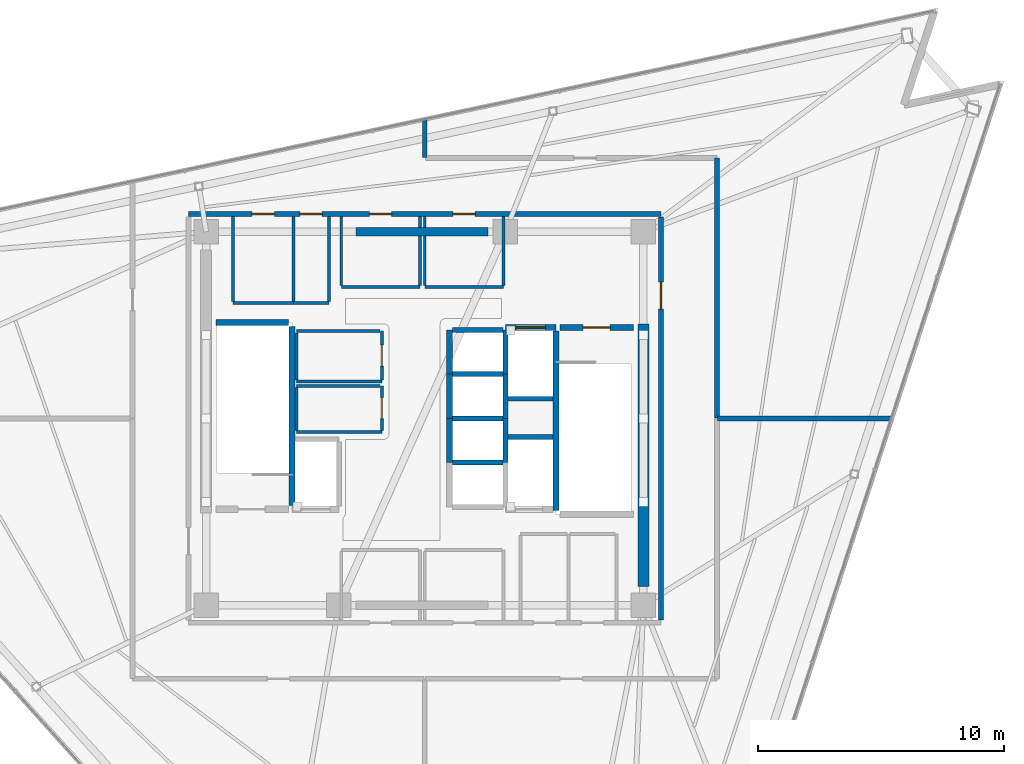
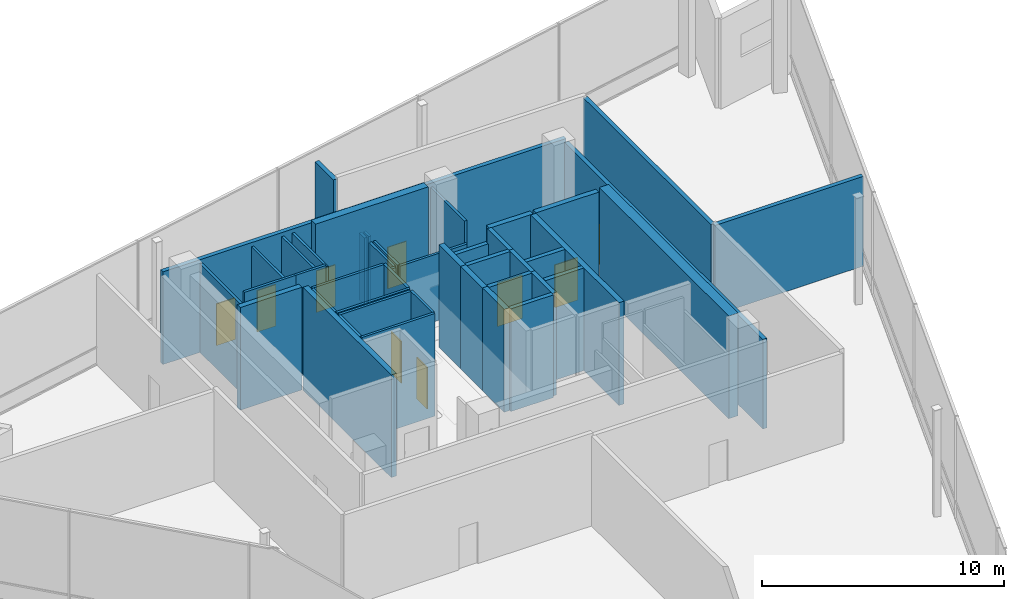
# One storey, part 12 of 14: 45 walls, 9 doors, 9 openings.
"""IFC4 building model written with IfcOpenShell, lengths in metres."""

import ifcopenshell
import ifcopenshell.guid

model = None  # the IFC model being written
_history = None  # IfcOwnerHistory: only IFC2X3 demands one
_inside = {}  # id of a spatial element -> (the spatial element, [elements in it])
_under = {}  # id of a project, library or spatial element -> (it, [spatial elements below it])
_declared = {}  # id of a project -> (the project, [libraries it declares])
_typed = {}  # id of a type object -> (the type object, [elements of that type])
_made_of = {}  # id of a material, layer set ... -> (it, [elements and type objects made of it])


def new_model(schema):
    """Start an empty IFC model of exactly this schema.

    Asked for "IFC4X3", IfcOpenShell would pick the latest addendum, in which some entities
    have other attributes; the version numbers below select the first issue.
    IFC2X3 requires an IfcOwnerHistory on every rooted entity: one is made here for all.
    """
    global model, _history
    if schema == "IFC4X3":
        model = ifcopenshell.file(schema_version=(4, 3, 0, 0))
    else:
        model = ifcopenshell.file(schema=schema)
    _inside.clear()
    _under.clear()
    _declared.clear()
    _typed.clear()
    _made_of.clear()
    _history = None
    if model.schema == "IFC2X3":
        org = make("IfcOrganization", Name="unknown")
        user = make(
            "IfcPersonAndOrganization",
            ThePerson=make("IfcPerson", FamilyName="unknown"),
            TheOrganization=org,
        )
        app = make(
            "IfcApplication",
            ApplicationDeveloper=org,
            Version="unknown",
            ApplicationFullName="unknown",
            ApplicationIdentifier="unknown",
        )
        _history = make(
            "IfcOwnerHistory",
            OwningUser=user,
            OwningApplication=app,
            ChangeAction="ADDED",
            CreationDate=0,
        )
    return model


def make(cls, **values):
    """One entity of the class cls with the attributes given. An attribute that is None is left unset."""
    return model.create_entity(
        cls, **{name: value for name, value in values.items() if value is not None}
    )


def rooted(cls, **values):
    """An entity with a GlobalId (a new one), such as an element, a storey or a relation."""
    return make(cls, GlobalId=ifcopenshell.guid.new(), OwnerHistory=_history, **values)


def si_unit(unit_type, name, prefix=None):
    """IfcSIUnit, for example si_unit("LENGTHUNIT", "METRE", prefix="MILLI")."""
    return make("IfcSIUnit", UnitType=unit_type, Prefix=prefix, Name=name)


def assignment(units):
    """IfcUnitAssignment: the units of a project."""
    return None if units is None else make("IfcUnitAssignment", Units=units)


def point(xyz):
    """IfcCartesianPoint."""
    return None if xyz is None else make("IfcCartesianPoint", Coordinates=xyz)


def direction(xyz):
    """IfcDirection."""
    return None if xyz is None else make("IfcDirection", DirectionRatios=xyz)


def frame(location, z_axis=None, x_axis=None):
    """IfcAxis2Placement3D, a coordinate frame: its origin and axes. An axis left out is left unset."""
    return make(
        "IfcAxis2Placement3D",
        Location=point(location),
        Axis=direction(z_axis),
        RefDirection=direction(x_axis),
    )


def frame_2d(location, x_axis=None):
    """IfcAxis2Placement2D, a coordinate frame in the plane: its origin and x axis."""
    return make(
        "IfcAxis2Placement2D", Location=point(location), RefDirection=direction(x_axis)
    )


def origin():
    """The frame at (0, 0, 0) with its axes left unset."""
    return frame((0.0, 0.0, 0.0))


def place(relative_to, where):
    """IfcLocalPlacement: puts the frame where relative to a parent placement (None: the world)."""
    return make(
        "IfcLocalPlacement", PlacementRelTo=relative_to, RelativePlacement=where
    )


def context(
    kind, dimensions, precision=None, world=None, true_north=None, identifier=None
):
    """IfcGeometricRepresentationContext, for example the 3D "Model" context."""
    return make(
        "IfcGeometricRepresentationContext",
        ContextIdentifier=identifier,
        ContextType=kind,
        CoordinateSpaceDimension=dimensions,
        Precision=precision,
        WorldCoordinateSystem=world,
        TrueNorth=true_north,
    )


def subcontext(parent, identifier, kind, view, scale=None):
    """IfcGeometricRepresentationSubContext, for example "Body" below "Model"."""
    return make(
        "IfcGeometricRepresentationSubContext",
        ContextIdentifier=identifier,
        ContextType=kind,
        ParentContext=parent,
        TargetScale=scale,
        TargetView=view,
    )


def project(units=None, contexts=None):
    """IfcProject with its units and contexts."""
    return rooted(
        "IfcProject",
        Name="project",
        RepresentationContexts=contexts,
        UnitsInContext=assignment(units),
    )


def spatial(cls, under=None, at=None, **own):
    """A site, building, storey or space (cls), placed at a placement, below another one or the project."""
    s = rooted(cls, ObjectPlacement=at, **own)
    if under is not None:
        _under.setdefault(under.id(), (under, []))[1].append(s)
    return s


def profile(cls, at=None, kind="AREA", **sizes):
    """A parametric profile (cls). Its sizes go by their IFC names, for example OverallWidth=200.0."""
    return make(cls, ProfileType=kind, Position=at, **sizes)


def rectangle(**sizes):
    """IfcRectangleProfileDef."""
    return profile("IfcRectangleProfileDef", **sizes)


def extrude(swept, where, along, depth):
    """IfcExtrudedAreaSolid: the profile swept, set in the frame where, extruded along a direction by depth."""
    return make(
        "IfcExtrudedAreaSolid",
        SweptArea=swept,
        Position=where,
        ExtrudedDirection=direction(along),
        Depth=depth,
    )


def shape(context_of_items, identifier, shape_type, items):
    """IfcShapeRepresentation: the items that make up one representation, for example the "Body"."""
    return make(
        "IfcShapeRepresentation",
        ContextOfItems=context_of_items,
        RepresentationIdentifier=identifier,
        RepresentationType=shape_type,
        Items=items,
    )


def material(Name=None, Category=None):
    """IfcMaterial."""
    return make("IfcMaterial", Name=Name, Category=Category)


def layer(
    of_material, thickness, ventilated=None, Name=None, Category=None, Priority=None
):
    """IfcMaterialLayer: one layer of a wall or slab, of a material (None: an air gap)."""
    return make(
        "IfcMaterialLayer",
        Material=of_material,
        LayerThickness=thickness,
        IsVentilated=ventilated,
        Name=Name,
        Category=Category,
        Priority=Priority,
    )


def layer_set(layers, Name=None):
    """IfcMaterialLayerSet."""
    return make("IfcMaterialLayerSet", MaterialLayers=layers, LayerSetName=Name)


def made_of(thing, what):
    """Note that an element or type object is made of a material, layer set ...; save() writes the relation."""
    if what is not None:
        _made_of.setdefault(what.id(), (what, []))[1].append(thing)
    return thing


def type_object(cls, material=None, **own):
    """A type object (cls), such as IfcWallType, which elements share."""
    return made_of(rooted(cls, **own), material)


def element(
    cls,
    number,
    at=None,
    inside=None,
    cuts=None,
    type_object=None,
    material=None,
    context=None,
    identifier="Body",
    shape_type=None,
    held_by="IfcProductDefinitionShape",
    body=None,
    shapes=None,
    **own,
):
    """One element of the class cls, such as IfcWall. Its Tag is "e" and its number.

    at: its placement. inside: the storey or other place that contains it. cuts: it is an
    opening in that element (IfcRelVoidsElement). A single representation is given by context,
    identifier, shape_type and body (its items); several are given by shapes. held_by: the class
    of the entity that holds the representations. save() writes the other relations.
    """
    e = rooted(cls, Tag="e%d" % number, ObjectPlacement=at, **own)
    if body is not None:
        shapes = [shape(context, identifier, shape_type, body)]
    if shapes is not None:
        e.Representation = make(held_by, Representations=shapes)
    if inside is not None:
        _inside.setdefault(inside.id(), (inside, []))[1].append(e)
    if cuts is not None:
        rooted(
            "IfcRelVoidsElement", RelatingBuildingElement=cuts, RelatedOpeningElement=e
        )
    if type_object is not None:
        _typed.setdefault(type_object.id(), (type_object, []))[1].append(e)
    return made_of(e, material)


def fill(opening, filler):
    """IfcRelFillsElement: the door or window that sits in an opening."""
    return rooted(
        "IfcRelFillsElement",
        RelatingOpeningElement=opening,
        RelatedBuildingElement=filler,
    )


def aggregate(whole, parts):
    """IfcRelAggregates: a whole, such as a stair, and the parts it consists of."""
    return rooted("IfcRelAggregates", RelatingObject=whole, RelatedObjects=parts)


def save(model, path):
    """Write the relations noted so far, then the file.

    IfcRelAggregates (storeys below a building ...), IfcRelContainedInSpatialStructure (elements
    in a storey), IfcRelDefinesByType, IfcRelAssociatesMaterial and IfcRelDeclares: one each for
    every whole, place, type object, material and project.
    """
    for whole, parts in _under.values():
        aggregate(whole, parts)
    for where, things in _inside.values():
        rooted(
            "IfcRelContainedInSpatialStructure",
            RelatedElements=things,
            RelatingStructure=where,
        )
    for kind, things in _typed.values():
        rooted("IfcRelDefinesByType", RelatedObjects=things, RelatingType=kind)
    for what, things in _made_of.values():
        rooted("IfcRelAssociatesMaterial", RelatedObjects=things, RelatingMaterial=what)
    for by, libraries in _declared.values():
        rooted("IfcRelDeclares", RelatingContext=by, RelatedDefinitions=libraries)
    model.write(path)


model = new_model("IFC4")

# Units and contexts
model_context = context("Model", 3, precision=1e-05, world=origin(), true_north=direction((0.0, 1.0)))
body_context = subcontext(model_context, "Body", "Model", "MODEL_VIEW")
ifc_project = project(units=[si_unit("LENGTHUNIT", "METRE"), si_unit("AREAUNIT", "SQUARE_METRE"), si_unit("VOLUMEUNIT", "CUBIC_METRE"), si_unit("PLANEANGLEUNIT", "RADIAN"), si_unit("MASSUNIT", "GRAM", prefix="KILO")], contexts=[model_context])

# Site, building, storey
site_placement = place(None, origin())
site = spatial("IfcSite", under=ifc_project, at=site_placement, CompositionType="ELEMENT")
building_placement = place(site_placement, origin())
building = spatial("IfcBuilding", under=site, at=building_placement, Name="Tharavind Bronze Gate", CompositionType="ELEMENT")
storey_placement = place(building_placement, frame((0.0, 0.0, 310.85009765625)))
storey = spatial("IfcBuildingStorey", under=building, at=storey_placement, Name="L80", CompositionType="ELEMENT", Elevation=310.85009765625)

# Wall, openings, doors
ifc_material_1 = material(Name="Aerated Concrete Block", Category="concrete")
ifc_layer_1 = layer(ifc_material_1, 0.199951171875)
ifc_layer_set_1 = layer_set([ifc_layer_1], Name="Aerated Concrete Block")
wall_type_1 = type_object("IfcWallType", Name="FIRE RATED PARTITION 200", PredefinedType="PARTITIONING", material=ifc_layer_set_1)
wall_1_placement = place(storey_placement, frame((9.6201171875, 8.320068359375, 0.0), z_axis=(0.0, 0.0, 1.0), x_axis=(-1.0, 0.0, 0.0)))
wall_1 = element("IfcWall", 1, at=wall_1_placement, inside=storey, type_object=wall_type_1, Name="L80 north core corridor wall", PredefinedType="PARTITIONING", context=body_context, shape_type="SweptSolid", body=[
    extrude(rectangle(XDim=19.240234375, YDim=0.199951171875, at=frame_2d((9.6201171875, 0.0))), origin(), (0.0, 0.0, 1.0), 4.6748046875),
])
opening_1_placement = place(wall_1_placement, frame((10.969970703125, 0.0, 0.0)))
opening_1 = element("IfcOpeningElement", 2, at=opening_1_placement, cuts=wall_1, Name="Opening ID07", PredefinedType="OPENING", context=body_context, shape_type="SweptSolid", body=[
    extrude(rectangle(XDim=0.89990234375, YDim=2.10009765625, at=frame_2d((0.449951171875, 1.050048828125))), frame((0.0, 0.11009765625, 0.0), z_axis=(0.0, -1.0, 0.0), x_axis=(1.0, 0.0, 0.0)), (0.0, 0.0, 1.0), 0.219951171875),
])
opening_2_placement = place(wall_1_placement, frame((7.570068359375, 0.0, 0.0)))
opening_2 = element("IfcOpeningElement", 3, at=opening_2_placement, cuts=wall_1, Name="Opening ID07", PredefinedType="OPENING", context=body_context, shape_type="SweptSolid", body=[
    extrude(rectangle(XDim=0.89990234375, YDim=2.10009765625, at=frame_2d((0.449951171875, 1.050048828125))), frame((0.0, 0.11009765625, 0.0), z_axis=(0.0, -1.0, 0.0), x_axis=(1.0, 0.0, 0.0)), (0.0, 0.0, 1.0), 0.219951171875),
])
opening_3_placement = place(wall_1_placement, frame((15.7451171875, 0.0, 0.0)))
opening_3 = element("IfcOpeningElement", 4, at=opening_3_placement, cuts=wall_1, Name="Opening ID07", PredefinedType="OPENING", context=body_context, shape_type="SweptSolid", body=[
    extrude(rectangle(XDim=0.89990234375, YDim=2.10009765625, at=frame_2d((0.449951171875, 1.050048828125))), frame((0.0, 0.11009765625, 0.0), z_axis=(0.0, -1.0, 0.0), x_axis=(1.0, 0.0, 0.0)), (0.0, 0.0, 1.0), 0.219951171875),
])
opening_4_placement = place(wall_1_placement, frame((13.794921875, 0.0, 0.0)))
opening_4 = element("IfcOpeningElement", 5, at=opening_4_placement, cuts=wall_1, Name="Opening ID07", PredefinedType="OPENING", context=body_context, shape_type="SweptSolid", body=[
    extrude(rectangle(XDim=0.89990234375, YDim=2.10009765625, at=frame_2d((0.449951171875, 1.050048828125))), frame((0.0, 0.11009765625, 0.0), z_axis=(0.0, -1.0, 0.0), x_axis=(1.0, 0.0, 0.0)), (0.0, 0.0, 1.0), 0.219951171875),
])
ifc_material_2 = material(Name="Galvanised Fire Steel", Category="steel")
door_type_1 = type_object("IfcDoorType", Name="PLANT AND RISER FIRE DOOR 900X2100", OperationType="SINGLE_SWING_LEFT", PredefinedType="DOOR", material=ifc_material_2)
door_1_placement = place(opening_1_placement, frame((0.89990234375, 0.0, 0.0), z_axis=(0.0, 0.0, 1.0), x_axis=(-1.0, 0.0, 0.0)))
door_1 = element("IfcDoor", 6, at=door_1_placement, inside=storey, type_object=door_type_1, Name="L80 Core Transformer Switchgear Room fire door", OperationType="SINGLE_SWING_LEFT", OverallHeight=2.10009765625, OverallWidth=0.89990234375, PredefinedType="DOOR", context=body_context, shape_type="SweptSolid", body=[
    extrude(rectangle(XDim=0.89990234375, YDim=2.10009765625, at=frame_2d((0.449951171875, 1.050048828125))), frame((0.0, 0.02490234375, 0.0), z_axis=(0.0, -1.0, 0.0), x_axis=(1.0, 0.0, 0.0)), (0.0, 0.0, 1.0), 0.050048828125),
])
fill(opening_1, door_1)
door_2_placement = place(opening_2_placement, frame((0.89990234375, 0.0, 0.0), z_axis=(0.0, 0.0, 1.0), x_axis=(-1.0, 0.0, 0.0)))
door_2 = element("IfcDoor", 7, at=door_2_placement, inside=storey, type_object=door_type_1, Name="L80 Core Mechanical Booster Plant fire door", OperationType="SINGLE_SWING_LEFT", OverallHeight=2.10009765625, OverallWidth=0.89990234375, PredefinedType="DOOR", context=body_context, shape_type="SweptSolid", body=[
    extrude(rectangle(XDim=0.89990234375, YDim=2.10009765625, at=frame_2d((0.449951171875, 1.050048828125))), frame((0.0, 0.02490234375, 0.0), z_axis=(0.0, -1.0, 0.0), x_axis=(1.0, 0.0, 0.0)), (0.0, 0.0, 1.0), 0.050048828125),
])
fill(opening_2, door_2)
door_3_placement = place(opening_3_placement, frame((0.89990234375, 0.0, 0.0), z_axis=(0.0, 0.0, 1.0), x_axis=(-1.0, 0.0, 0.0)))
door_3 = element("IfcDoor", 8, at=door_3_placement, inside=storey, type_object=door_type_1, Name="L80 MEP Switchgear Room fire door", OperationType="SINGLE_SWING_LEFT", OverallHeight=2.10009765625, OverallWidth=0.89990234375, PredefinedType="DOOR", context=body_context, shape_type="SweptSolid", body=[
    extrude(rectangle(XDim=0.89990234375, YDim=2.10009765625, at=frame_2d((0.449951171875, 1.050048828125))), frame((0.0, 0.02490234375, 0.0), z_axis=(0.0, -1.0, 0.0), x_axis=(1.0, 0.0, 0.0)), (0.0, 0.0, 1.0), 0.050048828125),
])
fill(opening_3, door_3)
door_4_placement = place(opening_4_placement, frame((0.89990234375, 0.0, 0.0), z_axis=(0.0, 0.0, 1.0), x_axis=(-1.0, 0.0, 0.0)))
door_4 = element("IfcDoor", 9, at=door_4_placement, inside=storey, type_object=door_type_1, Name="L80 Mechanical Riser Plant Room fire door", OperationType="SINGLE_SWING_LEFT", OverallHeight=2.10009765625, OverallWidth=0.89990234375, PredefinedType="DOOR", context=body_context, shape_type="SweptSolid", body=[
    extrude(rectangle(XDim=0.89990234375, YDim=2.10009765625, at=frame_2d((0.449951171875, 1.050048828125))), frame((0.0, 0.02490234375, 0.0), z_axis=(0.0, -1.0, 0.0), x_axis=(1.0, 0.0, 0.0)), (0.0, 0.0, 1.0), 0.050048828125),
])
fill(opening_4, door_4)

# Wall, opening, door
wall_2_placement = place(storey_placement, frame((9.6201171875, -8.199951171875, 0.0), z_axis=(0.0, 0.0, 1.0), x_axis=(0.0, 1.0, 0.0)))
wall_2 = element("IfcWall", 10, at=wall_2_placement, inside=storey, type_object=wall_type_1, Name="L80 east core corridor wall", PredefinedType="PARTITIONING", context=body_context, shape_type="SweptSolid", body=[
    extrude(rectangle(XDim=16.39990234375, YDim=0.199951171875, at=frame_2d((8.199951171875, 0.0))), origin(), (0.0, 0.0, 1.0), 4.52490234375),
])
opening_5_placement = place(wall_2_placement, frame((12.64990234375, 0.0, 0.0)))
opening_5 = element("IfcOpeningElement", 11, at=opening_5_placement, cuts=wall_2, Name="Opening ID01", PredefinedType="OPENING", context=body_context, shape_type="SweptSolid", body=[
    extrude(rectangle(XDim=1.10009765625, YDim=2.14990234375, at=frame_2d((0.550048828125, 1.074951171875))), frame((0.0, 0.11009765625, 0.0), z_axis=(0.0, -1.0, 0.0), x_axis=(1.0, 0.0, 0.0)), (0.0, 0.0, 1.0), 0.219951171875),
])
ifc_material_3 = material(Name="Fire-Rated Steel", Category="steel")
door_type_2 = type_object("IfcDoorType", Name="STAIR CORE FIRE DOOR 1100X2150", OperationType="SINGLE_SWING_LEFT", PredefinedType="DOOR", material=ifc_material_3)
door_5_placement = place(opening_5_placement, frame((1.10009765625, 0.0, 0.0), z_axis=(0.0, 0.0, 1.0), x_axis=(-1.0, 0.0, 0.0)))
door_5 = element("IfcDoor", 12, at=door_5_placement, inside=storey, type_object=door_type_2, Name="L80 north east stair lobby fire door", OperationType="SINGLE_SWING_LEFT", OverallHeight=2.14990234375, OverallWidth=1.10009765625, PredefinedType="DOOR", context=body_context, shape_type="SweptSolid", body=[
    extrude(rectangle(XDim=1.10009765625, YDim=2.14990234375, at=frame_2d((0.550048828125, 1.074951171875))), frame((0.0, 0.02490234375, 0.0), z_axis=(0.0, -1.0, 0.0), x_axis=(1.0, 0.0, 0.0)), (0.0, 0.0, 1.0), 0.050048828125),
])
fill(opening_5, door_5)

# Walls
wall_3_placement = place(storey_placement, frame((0.0, 10.625, 0.0), z_axis=(0.0, 0.0, 1.0), x_axis=(0.0, 1.0, 0.0)))
element("IfcWall", 13, at=wall_3_placement, inside=storey, type_object=wall_type_1, Name="L80 Crown AHU & Chiller Plant Room North partition", PredefinedType="PARTITIONING", context=body_context, shape_type="SweptSolid", body=[
    extrude(rectangle(XDim=1.525634765625, YDim=0.199951171875, at=frame_2d((0.7626953125, 0.0))), origin(), (0.0, 0.0, 1.0), 4.52490234375),
])
wall_4_placement = place(storey_placement, frame((18.99560546875, 0.0, 0.0), z_axis=(0.0, 0.0, 1.0), x_axis=(-1.0, 0.0, 0.0)))
element("IfcWall", 14, at=wall_4_placement, inside=storey, type_object=wall_type_1, Name="L80 Crown AHU & Chiller Plant Room North partition", PredefinedType="PARTITIONING", context=body_context, shape_type="SweptSolid", body=[
    extrude(rectangle(XDim=7.070556640625, YDim=0.199951171875, at=frame_2d((3.53515625, 0.0))), origin(), (0.0, 0.0, 1.0), 4.52490234375),
])
wall_5_placement = place(storey_placement, frame((11.89990234375, 0.02490234375, 0.0), z_axis=(0.0, 0.0, 1.0), x_axis=(0.0, 1.0, 0.0)))
element("IfcWall", 15, at=wall_5_placement, inside=storey, type_object=wall_type_1, Name="L80 Crown AHU & Chiller Plant Room North partition", PredefinedType="PARTITIONING", context=body_context, shape_type="SweptSolid", body=[
    extrude(rectangle(XDim=10.574462890625, YDim=0.199951171875, at=frame_2d((5.287109375, 0.0))), origin(), (0.0, 0.0, 1.0), 4.52490234375),
])
ifc_material_4 = material(Name="Metal Stud Gypsum Partition", Category="gypsum")
ifc_layer_2 = layer(ifc_material_4, 0.1201171875)
ifc_layer_set_2 = layer_set([ifc_layer_2], Name="Metal Stud Gypsum Partition")
wall_type_2 = type_object("IfcWallType", Name="INTERIOR PARTITION WALL 120", PredefinedType="PARTITIONING", material=ifc_layer_set_2)
wall_6_placement = place(storey_placement, frame((-5.219970703125, 1.5, 0.0), z_axis=(0.0, 0.0, 1.0), x_axis=(1.0, 0.0, 0.0)))
element("IfcWall", 16, at=wall_6_placement, inside=storey, type_object=wall_type_2, Name="L80 Core MEP Switchgear Room partition 1", PredefinedType="PARTITIONING", context=body_context, shape_type="SweptSolid", body=[
    extrude(rectangle(XDim=3.469970703125, YDim=0.1201171875, at=frame_2d((1.73486328125, 0.0))), origin(), (0.0, 0.0, 1.0), 5.179931640625),
])

# Wall, opening, door
wall_7_placement = place(storey_placement, frame((-1.75, 1.56494140625, 0.0), z_axis=(0.0, 0.0, 1.0), x_axis=(0.0, 1.0, 0.0)))
wall_7 = element("IfcWall", 17, at=wall_7_placement, inside=storey, type_object=wall_type_2, Name="L80 Core MEP Switchgear Room partition 2", PredefinedType="PARTITIONING", context=body_context, shape_type="SweptSolid", body=[
    extrude(rectangle(XDim=1.985107421875, YDim=0.1201171875, at=frame_2d((0.99267578125, 0.0))), origin(), (0.0, 0.0, 1.0), 5.179931640625),
])
opening_6_placement = place(wall_7_placement, frame((0.56689453125, 0.0, 0.0)))
opening_6 = element("IfcOpeningElement", 18, at=opening_6_placement, cuts=wall_7, Name="Opening ID06", PredefinedType="OPENING", context=body_context, shape_type="SweptSolid", body=[
    extrude(rectangle(XDim=0.85009765625, YDim=2.10009765625, at=frame_2d((0.425048828125, 1.050048828125))), frame((0.0, 0.07005859375, 0.0), z_axis=(0.0, -1.0, 0.0), x_axis=(1.0, 0.0, 0.0)), (0.0, 0.0, 1.0), 0.1401171875),
])
ifc_material_5 = material(Name="Moisture-Resistant Timber", Category="wood")
door_type_3 = type_object("IfcDoorType", Name="BATHROOM PRIVACY DOOR 850X2100", OperationType="SINGLE_SWING_RIGHT", PredefinedType="DOOR", material=ifc_material_5)
door_6_placement = place(opening_6_placement, frame((0.85009765625, 0.0, 0.0), z_axis=(0.0, 0.0, 1.0), x_axis=(-1.0, 0.0, 0.0)))
door_6 = element("IfcDoor", 19, at=door_6_placement, inside=storey, type_object=door_type_3, Name="L80 Core MEP Switchgear Room door", OperationType="SINGLE_SWING_RIGHT", OverallHeight=2.10009765625, OverallWidth=0.85009765625, PredefinedType="DOOR", context=body_context, shape_type="SweptSolid", body=[
    extrude(rectangle(XDim=0.85009765625, YDim=2.10009765625, at=frame_2d((0.425048828125, 1.050048828125))), frame((0.0, 0.02490234375, 0.0), z_axis=(0.0, -1.0, 0.0), x_axis=(1.0, 0.0, 0.0)), (0.0, 0.0, 1.0), 0.050048828125),
])
fill(opening_6, door_6)

# Walls
wall_8_placement = place(storey_placement, frame((-1.81494140625, 3.550048828125, 0.0), z_axis=(0.0, 0.0, 1.0), x_axis=(-1.0, 0.0, 0.0)))
element("IfcWall", 20, at=wall_8_placement, inside=storey, type_object=wall_type_2, Name="L80 Core MEP Switchgear Room partition 3", PredefinedType="PARTITIONING", context=body_context, shape_type="SweptSolid", body=[
    extrude(rectangle(XDim=3.405029296875, YDim=0.1201171875, at=frame_2d((1.70263671875, 0.0))), origin(), (0.0, 0.0, 1.0), 5.179931640625),
])
wall_9_placement = place(storey_placement, frame((-5.219970703125, 3.485107421875, 0.0), z_axis=(0.0, 0.0, 1.0), x_axis=(0.0, -1.0, 0.0)))
element("IfcWall", 21, at=wall_9_placement, inside=storey, type_object=wall_type_2, Name="L80 Core MEP Switchgear Room partition 4", PredefinedType="PARTITIONING", context=body_context, shape_type="SweptSolid", body=[
    extrude(rectangle(XDim=1.920166015625, YDim=0.1201171875, at=frame_2d((0.9599609375, 0.0))), origin(), (0.0, 0.0, 1.0), 5.179931640625),
])
wall_10_placement = place(storey_placement, frame((-5.219970703125, -0.550048828125, 0.0), z_axis=(0.0, 0.0, 1.0), x_axis=(1.0, 0.0, 0.0)))
element("IfcWall", 22, at=wall_10_placement, inside=storey, type_object=wall_type_2, Name="L80 Core Mechanical Valve Plant partition 1", PredefinedType="PARTITIONING", context=body_context, shape_type="SweptSolid", body=[
    extrude(rectangle(XDim=3.469970703125, YDim=0.1201171875, at=frame_2d((1.73486328125, 0.0))), origin(), (0.0, 0.0, 1.0), 5.179931640625),
])

# Wall, opening, door
wall_11_placement = place(storey_placement, frame((-1.75, -0.485107421875, 0.0), z_axis=(0.0, 0.0, 1.0), x_axis=(0.0, 1.0, 0.0)))
wall_11 = element("IfcWall", 23, at=wall_11_placement, inside=storey, type_object=wall_type_2, Name="L80 Core Mechanical Valve Plant partition 2", PredefinedType="PARTITIONING", context=body_context, shape_type="SweptSolid", body=[
    extrude(rectangle(XDim=1.80517578125, YDim=0.1201171875, at=frame_2d((0.902587890625, 0.0))), origin(), (0.0, 0.0, 1.0), 5.179931640625),
])
opening_7_placement = place(wall_11_placement, frame((0.47802734375, 0.0, 0.0)))
opening_7 = element("IfcOpeningElement", 24, at=opening_7_placement, cuts=wall_11, Name="Opening ID06", PredefinedType="OPENING", context=body_context, shape_type="SweptSolid", body=[
    extrude(rectangle(XDim=0.85009765625, YDim=2.10009765625, at=frame_2d((0.425048828125, 1.050048828125))), frame((0.0, 0.07005859375, 0.0), z_axis=(0.0, -1.0, 0.0), x_axis=(1.0, 0.0, 0.0)), (0.0, 0.0, 1.0), 0.1401171875),
])
door_7_placement = place(opening_7_placement, frame((0.85009765625, 0.0, 0.0), z_axis=(0.0, 0.0, 1.0), x_axis=(-1.0, 0.0, 0.0)))
door_7 = element("IfcDoor", 25, at=door_7_placement, inside=storey, type_object=door_type_3, Name="L80 Core Mechanical Valve Plant door", OperationType="SINGLE_SWING_RIGHT", OverallHeight=2.10009765625, OverallWidth=0.85009765625, PredefinedType="DOOR", context=body_context, shape_type="SweptSolid", body=[
    extrude(rectangle(XDim=0.85009765625, YDim=2.10009765625, at=frame_2d((0.425048828125, 1.050048828125))), frame((0.0, 0.02490234375, 0.0), z_axis=(0.0, -1.0, 0.0), x_axis=(1.0, 0.0, 0.0)), (0.0, 0.0, 1.0), 0.050048828125),
])
fill(opening_7, door_7)

# Walls
wall_12_placement = place(storey_placement, frame((-1.81494140625, 1.320068359375, 0.0), z_axis=(0.0, 0.0, 1.0), x_axis=(-1.0, 0.0, 0.0)))
element("IfcWall", 26, at=wall_12_placement, inside=storey, type_object=wall_type_2, Name="L80 Core Mechanical Valve Plant partition 3", PredefinedType="PARTITIONING", context=body_context, shape_type="SweptSolid", body=[
    extrude(rectangle(XDim=3.405029296875, YDim=0.1201171875, at=frame_2d((1.70263671875, 0.0))), origin(), (0.0, 0.0, 1.0), 5.179931640625),
])
wall_13_placement = place(storey_placement, frame((-5.219970703125, 1.2548828125, 0.0), z_axis=(0.0, 0.0, 1.0), x_axis=(0.0, -1.0, 0.0)))
element("IfcWall", 27, at=wall_13_placement, inside=storey, type_object=wall_type_2, Name="L80 Core Mechanical Valve Plant partition 4", PredefinedType="PARTITIONING", context=body_context, shape_type="SweptSolid", body=[
    extrude(rectangle(XDim=1.739990234375, YDim=0.1201171875, at=frame_2d((0.8701171875, 0.0))), origin(), (0.0, 0.0, 1.0), 5.179931640625),
])
wall_14_placement = place(storey_placement, frame((-3.39990234375, 5.35009765625, 0.0), z_axis=(0.0, 0.0, 1.0), x_axis=(1.0, 0.0, 0.0)))
element("IfcWall", 28, at=wall_14_placement, inside=storey, type_object=wall_type_2, Name="L80 Core Transformer Switchgear Room partition 1", PredefinedType="PARTITIONING", context=body_context, shape_type="SweptSolid", body=[
    extrude(rectangle(XDim=3.199951171875, YDim=0.1201171875, at=frame_2d((1.60009765625, 0.0))), origin(), (0.0, 0.0, 1.0), 3.375),
])
wall_15_placement = place(storey_placement, frame((-0.199951171875, 5.4150390625, 0.0), z_axis=(0.0, 0.0, 1.0), x_axis=(0.0, 1.0, 0.0)))
element("IfcWall", 29, at=wall_15_placement, inside=storey, type_object=wall_type_2, Name="L80 Core Transformer Switchgear Room partition 2", PredefinedType="PARTITIONING", context=body_context, shape_type="SweptSolid", body=[
    extrude(rectangle(XDim=2.0048828125, YDim=0.1201171875, at=frame_2d((1.00244140625, 0.0))), origin(), (0.0, 0.0, 1.0), 3.375),
])
wall_16_placement = place(storey_placement, frame((-0.199951171875, 7.780029296875, 0.0), z_axis=(0.0, 0.0, 1.0), x_axis=(0.0, 1.0, 0.0)))
element("IfcWall", 30, at=wall_16_placement, inside=storey, type_object=wall_type_2, Name="L80 Core Transformer Switchgear Room partition 2", PredefinedType="PARTITIONING", context=body_context, shape_type="SweptSolid", body=[
    extrude(rectangle(XDim=0.43505859375, YDim=0.1201171875, at=frame_2d((0.217529296875, 0.0))), origin(), (0.0, 0.0, 1.0), 3.375),
])
wall_17_placement = place(storey_placement, frame((-3.39990234375, 8.215087890625, 0.0), z_axis=(0.0, 0.0, 1.0), x_axis=(0.0, -1.0, 0.0)))
element("IfcWall", 31, at=wall_17_placement, inside=storey, type_object=wall_type_2, Name="L80 Core Transformer Switchgear Room partition 4", PredefinedType="PARTITIONING", context=body_context, shape_type="SweptSolid", body=[
    extrude(rectangle(XDim=2.800048828125, YDim=0.1201171875, at=frame_2d((1.39990234375, 0.0))), origin(), (0.0, 0.0, 1.0), 4.474853515625),
])
wall_18_placement = place(storey_placement, frame((0.0, 5.35009765625, 0.0), z_axis=(0.0, 0.0, 1.0), x_axis=(1.0, 0.0, 0.0)))
element("IfcWall", 32, at=wall_18_placement, inside=storey, type_object=wall_type_2, Name="L80 Core Mechanical Booster Plant partition 1", PredefinedType="PARTITIONING", context=body_context, shape_type="SweptSolid", body=[
    extrude(rectangle(XDim=3.199951171875, YDim=0.1201171875, at=frame_2d((1.60009765625, 0.0))), origin(), (0.0, 0.0, 1.0), 3.375),
])
wall_19_placement = place(storey_placement, frame((3.199951171875, 5.4150390625, 0.0), z_axis=(0.0, 0.0, 1.0), x_axis=(0.0, 1.0, 0.0)))
element("IfcWall", 33, at=wall_19_placement, inside=storey, type_object=wall_type_2, Name="L80 Core Mechanical Booster Plant partition 2", PredefinedType="PARTITIONING", context=body_context, shape_type="SweptSolid", body=[
    extrude(rectangle(XDim=2.800048828125, YDim=0.1201171875, at=frame_2d((1.39990234375, 0.0))), origin(), (0.0, 0.0, 1.0), 4.474853515625),
])
wall_20_placement = place(storey_placement, frame((0.0, 8.215087890625, 0.0), z_axis=(0.0, 0.0, 1.0), x_axis=(0.0, -1.0, 0.0)))
element("IfcWall", 34, at=wall_20_placement, inside=storey, type_object=wall_type_2, Name="L80 Core Mechanical Booster Plant partition 4", PredefinedType="PARTITIONING", context=body_context, shape_type="SweptSolid", body=[
    extrude(rectangle(XDim=0.43505859375, YDim=0.1201171875, at=frame_2d((0.217529296875, 0.0))), origin(), (0.0, 0.0, 1.0), 3.375),
])
wall_21_placement = place(storey_placement, frame((0.0, 7.419921875, 0.0), z_axis=(0.0, 0.0, 1.0), x_axis=(0.0, -1.0, 0.0)))
element("IfcWall", 35, at=wall_21_placement, inside=storey, type_object=wall_type_2, Name="L80 Core Mechanical Booster Plant partition 4", PredefinedType="PARTITIONING", context=body_context, shape_type="SweptSolid", body=[
    extrude(rectangle(XDim=2.0048828125, YDim=0.1201171875, at=frame_2d((1.00244140625, 0.0))), origin(), (0.0, 0.0, 1.0), 3.375),
])
wall_22_placement = place(storey_placement, frame((-7.800048828125, 4.699951171875, 0.0), z_axis=(0.0, 0.0, 1.0), x_axis=(1.0, 0.0, 0.0)))
element("IfcWall", 36, at=wall_22_placement, inside=storey, type_object=wall_type_2, Name="L80 MEP Switchgear Room partition 1", PredefinedType="PARTITIONING", context=body_context, shape_type="SweptSolid", body=[
    extrude(rectangle(XDim=2.449951171875, YDim=0.1201171875, at=frame_2d((1.22509765625, 0.0))), origin(), (0.0, 0.0, 1.0), 5.179931640625),
])
for number, where, z_axis, x_axis, name in (
    (37, (-5.35009765625, 4.764892578125, 0.0), (0.0, 0.0, 1.0), (0.0, 1.0, 0.0), "L80 MEP Switchgear Room partition 2"),
    (38, (-7.800048828125, 8.215087890625, 0.0), (0.0, 0.0, 1.0), (0.0, -1.0, 0.0), "L80 MEP Switchgear Room partition 4"),
):
    element("IfcWall", number, at=place(storey_placement, frame(where, z_axis=z_axis, x_axis=x_axis)), inside=storey, type_object=wall_type_2, Name=name, PredefinedType="PARTITIONING", context=body_context, shape_type="SweptSolid", body=[
        extrude(rectangle(XDim=3.4501953125, YDim=0.1201171875, at=frame_2d((1.72509765625, 0.0))), origin(), (0.0, 0.0, 1.0), 4.474853515625),
    ])
wall_23_placement = place(storey_placement, frame((-5.35009765625, 4.699951171875, 0.0), z_axis=(0.0, 0.0, 1.0), x_axis=(1.0, 0.0, 0.0)))
element("IfcWall", 39, at=wall_23_placement, inside=storey, type_object=wall_type_2, Name="L80 Mechanical Riser Plant Room partition 1", PredefinedType="PARTITIONING", context=body_context, shape_type="SweptSolid", body=[
    extrude(rectangle(XDim=1.4501953125, YDim=0.1201171875, at=frame_2d((0.72509765625, 0.0))), origin(), (0.0, 0.0, 1.0), 5.179931640625),
])
wall_24_placement = place(storey_placement, frame((-3.89990234375, 4.764892578125, 0.0), z_axis=(0.0, 0.0, 1.0), x_axis=(0.0, 1.0, 0.0)))
element("IfcWall", 40, at=wall_24_placement, inside=storey, type_object=wall_type_2, Name="L80 Mechanical Riser Plant Room partition 2", PredefinedType="PARTITIONING", context=body_context, shape_type="SweptSolid", body=[
    extrude(rectangle(XDim=3.4501953125, YDim=0.1201171875, at=frame_2d((1.72509765625, 0.0))), origin(), (0.0, 0.0, 1.0), 4.474853515625),
])
ifc_material_6 = material(Name="Concrete C50/60", Category="concrete")
ifc_layer_3 = layer(ifc_material_6, 0.25)
ifc_layer_set_3 = layer_set([ifc_layer_3], Name="Concrete C50/60")
wall_type_3 = type_object("IfcWallType", Name="RC CORE SHEAR WALL 250", PredefinedType="SHEAR", material=ifc_layer_set_3)
wall_25_placement = place(storey_placement, frame((-5.39990234375, -3.550048828125, 0.0), z_axis=(0.0, 0.0, 1.0), x_axis=(0.0, 1.0, 0.0)))
element("IfcWall", 41, at=wall_25_placement, inside=storey, type_object=wall_type_3, Name="L80 ST1 shaft east wall", PredefinedType="SHEAR", context=body_context, shape_type="SweptSolid", body=[
    extrude(rectangle(XDim=7.300048828125, YDim=0.25, at=frame_2d((3.64990234375, 0.0))), origin(), (0.0, 0.0, 1.0), 5.179931640625),
])
wall_26_placement = place(storey_placement, frame((-8.5, 3.89990234375, 0.0), z_axis=(0.0, 0.0, 1.0), x_axis=(1.0, 0.0, 0.0)))
element("IfcWall", 42, at=wall_26_placement, inside=storey, type_object=wall_type_3, Name="L80 ST1 shaft north wall", PredefinedType="SHEAR", context=body_context, shape_type="SweptSolid", body=[
    extrude(rectangle(XDim=2.949951171875, YDim=0.25, at=frame_2d((1.47509765625, 0.0))), origin(), (0.0, 0.0, 1.0), 5.179931640625),
])
wall_27_placement = place(storey_placement, frame((5.35009765625, -3.75, 0.0), z_axis=(0.0, 0.0, 1.0), x_axis=(0.0, 1.0, 0.0)))
element("IfcWall", 43, at=wall_27_placement, inside=storey, type_object=wall_type_3, Name="L80 ST2 shaft west wall", PredefinedType="SHEAR", context=body_context, shape_type="SweptSolid", body=[
    extrude(rectangle(XDim=7.300048828125, YDim=0.25, at=frame_2d((3.64990234375, 0.0))), origin(), (0.0, 0.0, 1.0), 5.179931640625),
])

# Wall, opening, door
wall_28_placement = place(storey_placement, frame((5.5, 3.699951171875, 0.0), z_axis=(0.0, 0.0, 1.0), x_axis=(1.0, 0.0, 0.0)))
wall_28 = element("IfcWall", 44, at=wall_28_placement, inside=storey, type_object=wall_type_3, Name="L80 ST2 shaft north wall", PredefinedType="SHEAR", context=body_context, shape_type="SweptSolid", body=[
    extrude(rectangle(XDim=3.0, YDim=0.25, at=frame_2d((1.5, 0.0))), origin(), (0.0, 0.0, 1.0), 5.179931640625),
])
opening_8_placement = place(wall_28_placement, frame((0.949951171875, 0.0, 0.0)))
opening_8 = element("IfcOpeningElement", 45, at=opening_8_placement, cuts=wall_28, Name="Opening ID01", PredefinedType="OPENING", context=body_context, shape_type="SweptSolid", body=[
    extrude(rectangle(XDim=1.10009765625, YDim=2.14990234375, at=frame_2d((0.550048828125, 1.074951171875))), frame((0.0, 0.135, 0.0), z_axis=(0.0, -1.0, 0.0), x_axis=(1.0, 0.0, 0.0)), (0.0, 0.0, 1.0), 0.27),
])
door_8_placement = place(opening_8_placement, frame((1.10009765625, 0.0, 0.0), z_axis=(0.0, 0.0, 1.0), x_axis=(-1.0, 0.0, 0.0)))
door_8 = element("IfcDoor", 46, at=door_8_placement, inside=storey, type_object=door_type_2, Name="L80 exit stair ST2 fire door", OperationType="SINGLE_SWING_LEFT", OverallHeight=2.14990234375, OverallWidth=1.10009765625, PredefinedType="DOOR", context=body_context, shape_type="SweptSolid", body=[
    extrude(rectangle(XDim=1.10009765625, YDim=2.14990234375, at=frame_2d((0.550048828125, 1.074951171875))), frame((0.0, 0.02490234375, 0.0), z_axis=(0.0, -1.0, 0.0), x_axis=(1.0, 0.0, 0.0)), (0.0, 0.0, 1.0), 0.050048828125),
])
fill(opening_8, door_8)

# Walls
for number, where, z_axis, x_axis, name in (
    (47, (1.0, -1.800048828125, 0.0), (0.0, 0.0, 1.0), (0.0, 1.0, 0.0), "L80 lift PL10 shaft front wall"),
    (48, (1.0, 0.0, 0.0), (0.0, 0.0, 1.0), (0.0, 1.0, 0.0), "L80 lift PL11 shaft front wall"),
    (49, (1.0, 1.800048828125, 0.0), (0.0, 0.0, 1.0), (0.0, 1.0, 0.0), "L80 lift PL12 shaft front wall"),
):
    element("IfcWall", number, at=place(storey_placement, frame(where, z_axis=z_axis, x_axis=x_axis)), inside=storey, type_object=wall_type_3, Name=name, PredefinedType="SHEAR", context=body_context, shape_type="SweptSolid", body=[
        extrude(rectangle(XDim=1.800048828125, YDim=0.25, at=frame_2d((0.89990234375, 0.0))), origin(), (0.0, 0.0, 1.0), 5.179931640625),
    ])

# Wall, opening, door
wall_29_placement = place(storey_placement, frame((3.280029296875, 3.699951171875, 0.0), z_axis=(0.0, 0.0, 1.0), x_axis=(1.0, 0.0, 0.0)))
wall_29 = element("IfcWall", 50, at=wall_29_placement, inside=storey, type_object=wall_type_3, Name="L80 lift FFL2 shaft front wall", PredefinedType="SHEAR", context=body_context, shape_type="SweptSolid", body=[
    extrude(rectangle(XDim=2.070068359375, YDim=0.25, at=frame_2d((1.03515625, 0.0))), origin(), (0.0, 0.0, 1.0), 5.179931640625),
])
opening_9_placement = place(wall_29_placement, frame((0.43505859375, 0.0, 0.0)))
opening_9 = element("IfcOpeningElement", 51, at=opening_9_placement, cuts=wall_29, Name="Opening LD02", PredefinedType="OPENING", context=body_context, shape_type="SweptSolid", body=[
    extrude(rectangle(XDim=1.199951171875, YDim=2.199951171875, at=frame_2d((0.60009765625, 1.10009765625))), frame((0.0, 0.135, 0.0), z_axis=(0.0, -1.0, 0.0), x_axis=(1.0, 0.0, 0.0)), (0.0, 0.0, 1.0), 0.27),
])
ifc_material_7 = material(Name="Brushed Stainless Steel", Category="steel")
door_type_4 = type_object("IfcDoorType", Name="FIREFIGHTING LIFT LANDING DOOR 1200X2200", OperationType="SLIDING_TO_RIGHT", PredefinedType="DOOR", material=ifc_material_7)
door_9_placement = place(opening_9_placement, origin())
door_9 = element("IfcDoor", 52, at=door_9_placement, inside=storey, type_object=door_type_4, Name="L80 lift FFL2 sliding landing door", OperationType="SLIDING_TO_RIGHT", OverallHeight=2.199951171875, OverallWidth=1.199951171875, PredefinedType="DOOR", context=body_context, shape_type="SweptSolid", body=[
    extrude(rectangle(XDim=1.199951171875, YDim=2.199951171875, at=frame_2d((0.60009765625, 1.10009765625))), frame((0.0, 0.02490234375, 0.0), z_axis=(0.0, -1.0, 0.0), x_axis=(1.0, 0.0, 0.0)), (0.0, 0.0, 1.0), 0.050048828125),
])
fill(opening_9, door_9)

# Walls
ifc_layer_4 = layer(ifc_material_6, 0.35009765625)
ifc_layer_set_4 = layer_set([ifc_layer_4], Name="Concrete C50/60")
wall_type_4 = type_object("IfcWallType", Name="RC CORE SHEAR WALL 350", PredefinedType="SHEAR", material=ifc_layer_set_4)
wall_30_placement = place(storey_placement, frame((-2.800048828125, 7.60009765625, 0.0), z_axis=(0.0, 0.0, 1.0), x_axis=(1.0, 0.0, 0.0)))
element("IfcWall", 53, at=wall_30_placement, inside=storey, type_object=wall_type_4, Name="L80 north core shear wall", PredefinedType="SHEAR", context=body_context, shape_type="SweptSolid", body=[
    extrude(rectangle(XDim=5.380126953125, YDim=0.35009765625, at=frame_2d((2.68994140625, 0.0))), origin(), (0.0, 0.0, 1.0), 5.179931640625),
])
ifc_material_8 = material(Name="Concrete C60/75", Category="concrete")
ifc_layer_5 = layer(ifc_material_8, 0.449951171875)
ifc_layer_set_5 = layer_set([ifc_layer_5], Name="Concrete C60/75")
wall_type_5 = type_object("IfcWallType", Name="RC CORE SHEAR WALL 450", PredefinedType="SHEAR", material=ifc_layer_set_5)
wall_31_placement = place(storey_placement, frame((8.89990234375, -6.85009765625, 0.0), z_axis=(0.0, 0.0, 1.0), x_axis=(0.0, 1.0, 0.0)))
element("IfcWall", 54, at=wall_31_placement, inside=storey, type_object=wall_type_5, Name="L80 east core shear wall", PredefinedType="SHEAR", context=body_context, shape_type="SweptSolid", body=[
    extrude(rectangle(XDim=10.7001953125, YDim=0.449951171875, at=frame_2d((5.35009765625, 0.0))), origin(), (0.0, 0.0, 1.0), 5.179931640625),
])
ifc_material_9 = material(Name="Concrete C40/50", Category="concrete")
ifc_layer_6 = layer(ifc_material_9, 0.199951171875)
ifc_layer_set_6 = layer_set([ifc_layer_6], Name="Concrete C40/50")
wall_type_6 = type_object("IfcWallType", Name="SHAFT ENCLOSURE WALL 200", PredefinedType="PARTITIONING", material=ifc_layer_set_6)
wall_32_placement = place(storey_placement, frame((1.1298828125, -1.800048828125, 0.0), z_axis=(0.0, 0.0, 1.0), x_axis=(1.0, 0.0, 0.0)))
element("IfcWall", 55, at=wall_32_placement, inside=storey, type_object=wall_type_6, Name="L80 lift PL9 shaft N enclosure wall", PredefinedType="PARTITIONING", context=body_context, shape_type="SweptSolid", body=[
    extrude(rectangle(XDim=2.045166015625, YDim=0.199951171875, at=frame_2d((1.0224609375, 0.0))), origin(), (0.0, 0.0, 1.0), 5.179931640625),
])
wall_33_placement = place(storey_placement, frame((3.280029296875, -1.800048828125, 0.0), z_axis=(0.0, 0.0, 1.0), x_axis=(0.0, 1.0, 0.0)))
element("IfcWall", 56, at=wall_33_placement, inside=storey, type_object=wall_type_6, Name="L80 lift PL10 shaft E enclosure wall", PredefinedType="PARTITIONING", context=body_context, shape_type="SweptSolid", body=[
    extrude(rectangle(XDim=1.800048828125, YDim=0.199951171875, at=frame_2d((0.89990234375, 0.0))), origin(), (0.0, 0.0, 1.0), 5.179931640625),
])
wall_34_placement = place(storey_placement, frame((1.1298828125, 0.0, 0.0), z_axis=(0.0, 0.0, 1.0), x_axis=(1.0, 0.0, 0.0)))
element("IfcWall", 57, at=wall_34_placement, inside=storey, type_object=wall_type_6, Name="L80 lift PL10 shaft N enclosure wall", PredefinedType="PARTITIONING", context=body_context, shape_type="SweptSolid", body=[
    extrude(rectangle(XDim=2.045166015625, YDim=0.199951171875, at=frame_2d((1.0224609375, 0.0))), origin(), (0.0, 0.0, 1.0), 5.179931640625),
])
wall_35_placement = place(storey_placement, frame((3.280029296875, 0.0, 0.0), z_axis=(0.0, 0.0, 1.0), x_axis=(0.0, 1.0, 0.0)))
element("IfcWall", 58, at=wall_35_placement, inside=storey, type_object=wall_type_6, Name="L80 lift PL11 shaft E enclosure wall", PredefinedType="PARTITIONING", context=body_context, shape_type="SweptSolid", body=[
    extrude(rectangle(XDim=1.800048828125, YDim=0.199951171875, at=frame_2d((0.89990234375, 0.0))), origin(), (0.0, 0.0, 1.0), 5.179931640625),
])
wall_36_placement = place(storey_placement, frame((1.1298828125, 1.800048828125, 0.0), z_axis=(0.0, 0.0, 1.0), x_axis=(1.0, 0.0, 0.0)))
element("IfcWall", 59, at=wall_36_placement, inside=storey, type_object=wall_type_6, Name="L80 lift PL11 shaft N enclosure wall", PredefinedType="PARTITIONING", context=body_context, shape_type="SweptSolid", body=[
    extrude(rectangle(XDim=2.045166015625, YDim=0.199951171875, at=frame_2d((1.0224609375, 0.0))), origin(), (0.0, 0.0, 1.0), 5.179931640625),
])
wall_37_placement = place(storey_placement, frame((3.280029296875, 1.800048828125, 0.0), z_axis=(0.0, 0.0, 1.0), x_axis=(0.0, 1.0, 0.0)))
element("IfcWall", 60, at=wall_37_placement, inside=storey, type_object=wall_type_6, Name="L80 lift PL12 shaft E enclosure wall", PredefinedType="PARTITIONING", context=body_context, shape_type="SweptSolid", body=[
    extrude(rectangle(XDim=1.800048828125, YDim=0.199951171875, at=frame_2d((0.89990234375, 0.0))), origin(), (0.0, 0.0, 1.0), 5.179931640625),
])
wall_38_placement = place(storey_placement, frame((1.1298828125, 3.60009765625, 0.0), z_axis=(0.0, 0.0, 1.0), x_axis=(1.0, 0.0, 0.0)))
element("IfcWall", 61, at=wall_38_placement, inside=storey, type_object=wall_type_6, Name="L80 lift PL12 shaft N enclosure wall", PredefinedType="PARTITIONING", context=body_context, shape_type="SweptSolid", body=[
    extrude(rectangle(XDim=2.045166015625, YDim=0.199951171875, at=frame_2d((1.0224609375, 0.0))), origin(), (0.0, 0.0, 1.0), 4.474853515625),
])
for number, where, z_axis, x_axis, name in (
    (62, (3.385009765625, 0.800048828125, 0.0), (0.0, 0.0, 1.0), (1.0, 0.0, 0.0), "L80 lift FFL2 shaft S enclosure wall"),
    (63, (3.385009765625, -0.75, 0.0), (0.0, 0.0, 1.0), (1.0, 0.0, 0.0), "L80 lift SVL1 shaft N enclosure wall"),
):
    element("IfcWall", number, at=place(storey_placement, frame(where, z_axis=z_axis, x_axis=x_axis)), inside=storey, type_object=wall_type_6, Name=name, PredefinedType="PARTITIONING", context=body_context, shape_type="SweptSolid", body=[
        extrude(rectangle(XDim=1.8349609375, YDim=0.199951171875, at=frame_2d((0.91748046875, 0.0))), origin(), (0.0, 0.0, 1.0), 5.179931640625),
    ])

save(model, "model.ifc")
